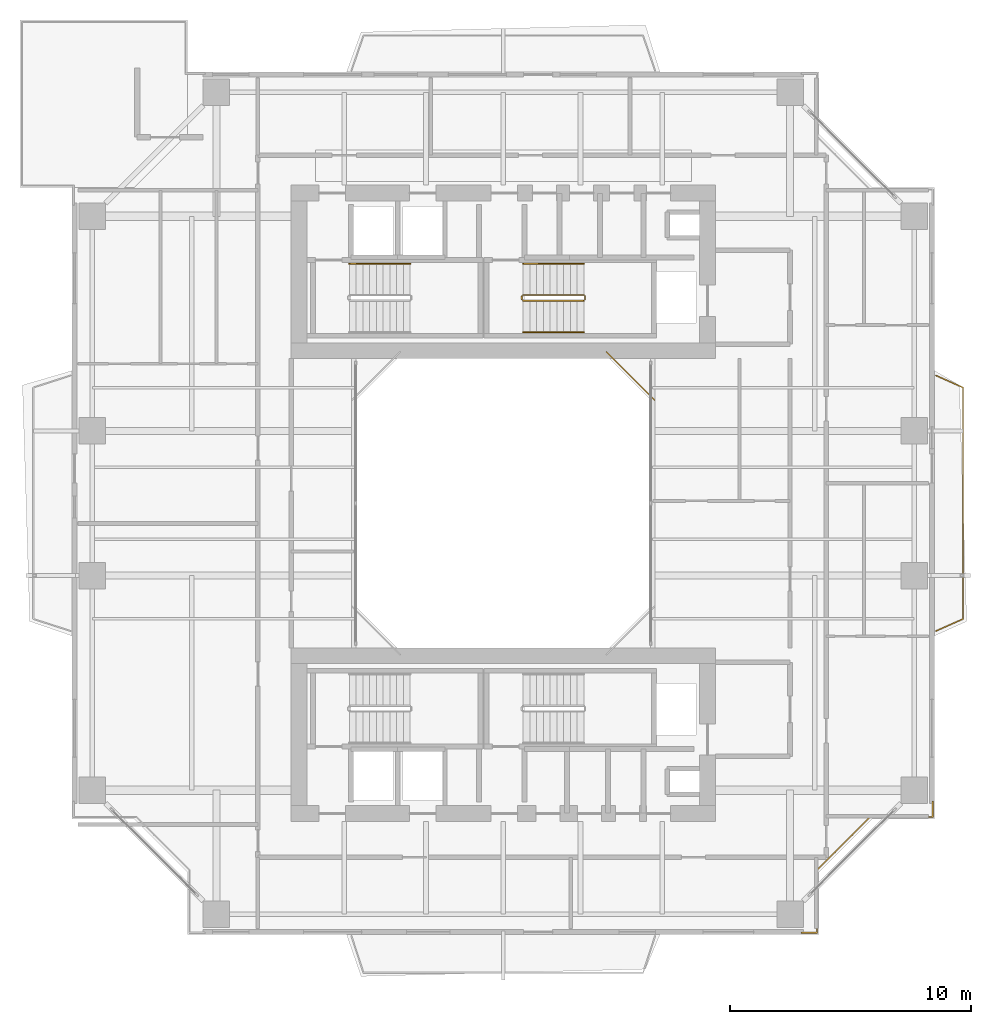
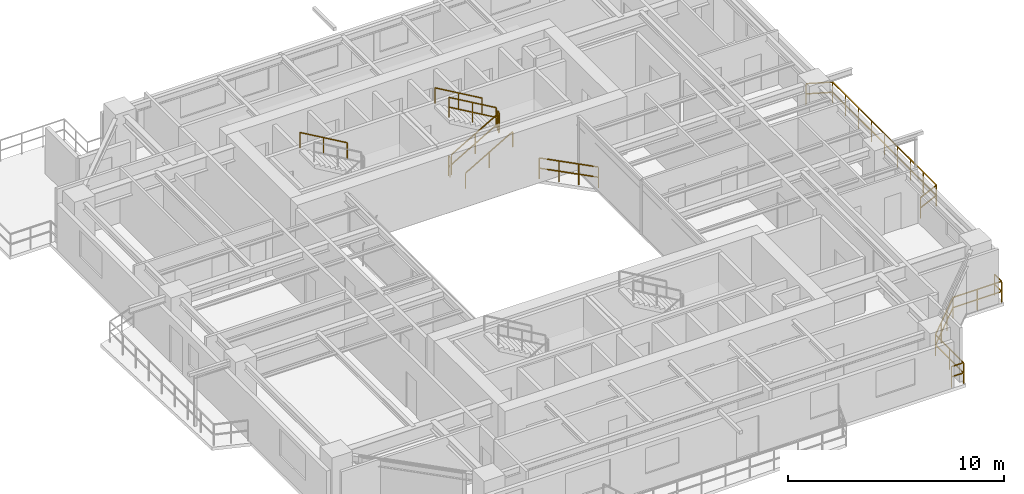
# One storey, part 16 of 17: 10 railings.
"""IFC4 building model written with IfcOpenShell, lengths in metres."""

from ifc_helpers import new_model, si_unit, direction, frame, origin, origin_2d, place, context, subcontext, project, spatial, rectangle, extrude, material, type_object, element, save


model = new_model("IFC4")

# Units and contexts
model_context = context("Model", 3, precision=1e-05, world=origin(), true_north=direction((0.0, 1.0)))
body_context = subcontext(model_context, "Body", "Model", "MODEL_VIEW")
ifc_project = project(units=[si_unit("LENGTHUNIT", "METRE"), si_unit("AREAUNIT", "SQUARE_METRE"), si_unit("VOLUMEUNIT", "CUBIC_METRE"), si_unit("PLANEANGLEUNIT", "RADIAN"), si_unit("MASSUNIT", "GRAM", prefix="KILO"), si_unit("THERMODYNAMICTEMPERATUREUNIT", "KELVIN"), si_unit("POWERUNIT", "WATT")], contexts=[model_context])

# Site, building, storey
site_placement = place(None, origin())
site = spatial("IfcSite", under=ifc_project, at=site_placement, CompositionType="ELEMENT")
building_placement = place(site_placement, origin())
building = spatial("IfcBuilding", under=site, at=building_placement, Name="Qiaomeng Ring Towers", CompositionType="ELEMENT")
storey_placement = place(building_placement, frame((0.0, 0.0, 132.75)))
storey = spatial("IfcBuildingStorey", under=building, at=storey_placement, Name="L38", CompositionType="ELEMENT", Elevation=132.75)

# Railings
ifc_material_1 = material(Name="Low-E pale-green laminated safety glass", Category="glass")
railing_type_1 = type_object("IfcRailingType", Name="ARC-RL-BAL1", PredefinedType="BALUSTRADE", material=ifc_material_1)
railing_1_placement = place(storey_placement, frame((25.280029296875, 27.280029296875, 0.0)))
element("IfcRailing", 1, at=railing_1_placement, inside=storey, type_object=railing_type_1, Name="L38 Balustrade ARC-BAL-WELL1-L38-2", PredefinedType="BALUSTRADE", context=body_context, shape_type="SweptSolid", body=[
    extrude(rectangle(XDim=0.048095703125, YDim=0.048095703125, at=origin_2d()), frame((0.0, 0.0, 1.17578125), z_axis=(-0.707106781187, 0.707106781187, 0.0), x_axis=(-0.707106781187, -0.707106781187, 0.0)), (0.0, 0.0, 1.0), 2.828369140625),
    extrude(rectangle(XDim=0.048095703125, YDim=0.048095703125, at=origin_2d()), frame((0.0, 0.0, 0.60009765625), z_axis=(-0.707106781187, 0.707106781187, 0.0), x_axis=(-0.707106781187, -0.707106781187, 0.0)), (0.0, 0.0, 1.0), 2.828369140625),
    extrude(rectangle(XDim=0.0419921875, YDim=0.0419921875, at=origin_2d()), origin(), (0.0, 0.0, 1.0), 1.15185546875),
    extrude(rectangle(XDim=0.0419921875, YDim=0.0419921875, at=origin_2d()), frame((-0.666748046875, 0.666748046875, 0.0)), (0.0, 0.0, 1.0), 1.15185546875),
    extrude(rectangle(XDim=0.0419921875, YDim=0.0419921875, at=origin_2d()), frame((-1.333251953125, 1.333251953125, 0.0)), (0.0, 0.0, 1.0), 1.15185546875),
    extrude(rectangle(XDim=0.0419921875, YDim=0.0419921875, at=origin_2d()), frame((-2.0, 2.0, 0.0)), (0.0, 0.0, 1.0), 1.15185546875),
])
railing_2_placement = place(storey_placement, frame((31.3701171875, 5.179931640625, 0.0)))
element("IfcRailing", 2, at=railing_2_placement, inside=storey, type_object=railing_type_1, Name="L38 Balustrade ARC-BAL-NOTCH1-L38-SE", PredefinedType="BALUSTRADE", context=body_context, shape_type="SweptSolid", body=[
    extrude(rectangle(XDim=0.048095703125, YDim=0.048095703125, at=origin_2d()), frame((0.0, 0.0, 1.17578125), z_axis=(1.0, 0.0, 0.0), x_axis=(0.0, 1.0, 0.0)), (0.0, 0.0, 1.0), 0.64990234375),
    extrude(rectangle(XDim=0.048095703125, YDim=0.048095703125, at=origin_2d()), frame((0.0, 0.0, 0.60009765625), z_axis=(1.0, 0.0, 0.0), x_axis=(0.0, 1.0, 0.0)), (0.0, 0.0, 1.0), 0.64990234375),
    extrude(rectangle(XDim=0.048095703125, YDim=0.048095703125, at=origin_2d()), frame((0.64990234375, 0.0, 1.17578125), z_axis=(0.0, 1.0, 0.0), x_axis=(-1.0, 0.0, 0.0)), (0.0, 0.0, 1.0), 2.60009765625),
    extrude(rectangle(XDim=0.048095703125, YDim=0.048095703125, at=origin_2d()), frame((0.64990234375, 0.0, 0.60009765625), z_axis=(0.0, 1.0, 0.0), x_axis=(-1.0, 0.0, 0.0)), (0.0, 0.0, 1.0), 2.60009765625),
    extrude(rectangle(XDim=0.048095703125, YDim=0.048095703125, at=origin_2d()), frame((0.64990234375, 2.60009765625, 1.17578125), z_axis=(0.707106781187, 0.707106781187, 0.0), x_axis=(-0.707106781187, 0.707106781187, 0.0)), (0.0, 0.0, 1.0), 3.111083984375),
    extrude(rectangle(XDim=0.048095703125, YDim=0.048095703125, at=origin_2d()), frame((0.64990234375, 2.60009765625, 0.60009765625), z_axis=(0.707106781187, 0.707106781187, 0.0), x_axis=(-0.707106781187, 0.707106781187, 0.0)), (0.0, 0.0, 1.0), 3.111083984375),
    extrude(rectangle(XDim=0.048095703125, YDim=0.048095703125, at=origin_2d()), frame((2.849853515625, 4.800048828125, 1.17578125), z_axis=(1.0, 0.0, 0.0), x_axis=(0.0, 1.0, 0.0)), (0.0, 0.0, 1.0), 2.60009765625),
    extrude(rectangle(XDim=0.048095703125, YDim=0.048095703125, at=origin_2d()), frame((2.849853515625, 4.800048828125, 0.60009765625), z_axis=(1.0, 0.0, 0.0), x_axis=(0.0, 1.0, 0.0)), (0.0, 0.0, 1.0), 2.60009765625),
    extrude(rectangle(XDim=0.048095703125, YDim=0.048095703125, at=origin_2d()), frame((5.449951171875, 4.800048828125, 1.17578125), z_axis=(0.0, 1.0, 0.0), x_axis=(-1.0, 0.0, 0.0)), (0.0, 0.0, 1.0), 0.64990234375),
    extrude(rectangle(XDim=0.048095703125, YDim=0.048095703125, at=origin_2d()), frame((5.449951171875, 4.800048828125, 0.60009765625), z_axis=(0.0, 1.0, 0.0), x_axis=(-1.0, 0.0, 0.0)), (0.0, 0.0, 1.0), 0.64990234375),
    extrude(rectangle(XDim=0.0419921875, YDim=0.0419921875, at=origin_2d()), origin(), (0.0, 0.0, 1.0), 1.15185546875),
    extrude(rectangle(XDim=0.0419921875, YDim=0.0419921875, at=origin_2d()), frame((0.64990234375, 0.0, 0.0)), (0.0, 0.0, 1.0), 1.15185546875),
    extrude(rectangle(XDim=0.0419921875, YDim=0.0419921875, at=origin_2d()), frame((0.64990234375, 1.300048828125, 0.0)), (0.0, 0.0, 1.0), 1.15185546875),
    extrude(rectangle(XDim=0.0419921875, YDim=0.0419921875, at=origin_2d()), frame((0.64990234375, 2.60009765625, 0.0)), (0.0, 0.0, 1.0), 1.15185546875),
    extrude(rectangle(XDim=0.0419921875, YDim=0.0419921875, at=origin_2d()), frame((1.38330078125, 3.33349609375, 0.0)), (0.0, 0.0, 1.0), 1.15185546875),
    extrude(rectangle(XDim=0.0419921875, YDim=0.0419921875, at=origin_2d()), frame((2.116455078125, 4.066650390625, 0.0)), (0.0, 0.0, 1.0), 1.15185546875),
    extrude(rectangle(XDim=0.0419921875, YDim=0.0419921875, at=origin_2d()), frame((2.849853515625, 4.800048828125, 0.0)), (0.0, 0.0, 1.0), 1.15185546875),
    extrude(rectangle(XDim=0.0419921875, YDim=0.0419921875, at=origin_2d()), frame((4.14990234375, 4.800048828125, 0.0)), (0.0, 0.0, 1.0), 1.15185546875),
    extrude(rectangle(XDim=0.0419921875, YDim=0.0419921875, at=origin_2d()), frame((5.449951171875, 4.800048828125, 0.0)), (0.0, 0.0, 1.0), 1.15185546875),
    extrude(rectangle(XDim=0.0419921875, YDim=0.0419921875, at=origin_2d()), frame((5.449951171875, 5.449951171875, 0.0)), (0.0, 0.0, 1.0), 1.15185546875),
])
railing_3_placement = place(storey_placement, frame((36.949951171875, 17.699951171875, 0.0)))
element("IfcRailing", 3, at=railing_3_placement, inside=storey, type_object=railing_type_1, Name="L38 Balustrade ARC-BAL-L38-T1-E", PredefinedType="BALUSTRADE", context=body_context, shape_type="SweptSolid", body=[
    extrude(rectangle(XDim=0.048095703125, YDim=0.048095703125, at=origin_2d()), frame((0.0, 0.0, 1.17578125), z_axis=(0.914494575002, 0.404598161504, 0.0), x_axis=(-0.404598161504, 0.914494575002, 0.0)), (0.0, 0.0, 1.0), 1.23583984375),
    extrude(rectangle(XDim=0.048095703125, YDim=0.048095703125, at=origin_2d()), frame((0.0, 0.0, 0.60009765625), z_axis=(0.914494575002, 0.404598161504, 0.0), x_axis=(-0.404598161504, 0.914494575002, 0.0)), (0.0, 0.0, 1.0), 1.23583984375),
    extrude(rectangle(XDim=0.048095703125, YDim=0.048095703125, at=origin_2d()), frame((1.130126953125, 0.5, 1.17578125), z_axis=(0.0, 1.0, 0.0), x_axis=(-1.0, 0.0, 0.0)), (0.0, 0.0, 1.0), 9.60009765625),
    extrude(rectangle(XDim=0.048095703125, YDim=0.048095703125, at=origin_2d()), frame((1.130126953125, 0.5, 0.60009765625), z_axis=(0.0, 1.0, 0.0), x_axis=(-1.0, 0.0, 0.0)), (0.0, 0.0, 1.0), 9.60009765625),
    extrude(rectangle(XDim=0.048095703125, YDim=0.048095703125, at=origin_2d()), frame((1.130126953125, 10.10009765625, 1.17578125), z_axis=(-0.914494575002, 0.404598161504, 0.0), x_axis=(-0.404598161504, -0.914494575002, 0.0)), (0.0, 0.0, 1.0), 1.23583984375),
    extrude(rectangle(XDim=0.048095703125, YDim=0.048095703125, at=origin_2d()), frame((1.130126953125, 10.10009765625, 0.60009765625), z_axis=(-0.914494575002, 0.404598161504, 0.0), x_axis=(-0.404598161504, -0.914494575002, 0.0)), (0.0, 0.0, 1.0), 1.23583984375),
    extrude(rectangle(XDim=0.0419921875, YDim=0.0419921875, at=origin_2d()), origin(), (0.0, 0.0, 1.0), 1.15185546875),
    extrude(rectangle(XDim=0.0419921875, YDim=0.0419921875, at=origin_2d()), frame((1.130126953125, 0.5, 0.0)), (0.0, 0.0, 1.0), 1.15185546875),
    extrude(rectangle(XDim=0.0419921875, YDim=0.0419921875, at=origin_2d()), frame((1.130126953125, 1.699951171875, 0.0)), (0.0, 0.0, 1.0), 1.15185546875),
    extrude(rectangle(XDim=0.0419921875, YDim=0.0419921875, at=origin_2d()), frame((1.130126953125, 2.89990234375, 0.0)), (0.0, 0.0, 1.0), 1.15185546875),
    extrude(rectangle(XDim=0.0419921875, YDim=0.0419921875, at=origin_2d()), frame((1.130126953125, 4.10009765625, 0.0)), (0.0, 0.0, 1.0), 1.15185546875),
    extrude(rectangle(XDim=0.0419921875, YDim=0.0419921875, at=origin_2d()), frame((1.130126953125, 5.300048828125, 0.0)), (0.0, 0.0, 1.0), 1.15185546875),
    extrude(rectangle(XDim=0.0419921875, YDim=0.0419921875, at=origin_2d()), frame((1.130126953125, 6.5, 0.0)), (0.0, 0.0, 1.0), 1.15185546875),
    extrude(rectangle(XDim=0.0419921875, YDim=0.0419921875, at=origin_2d()), frame((1.130126953125, 7.7001953125, 0.0)), (0.0, 0.0, 1.0), 1.15185546875),
    extrude(rectangle(XDim=0.0419921875, YDim=0.0419921875, at=origin_2d()), frame((1.130126953125, 8.900146484375, 0.0)), (0.0, 0.0, 1.0), 1.15185546875),
    extrude(rectangle(XDim=0.0419921875, YDim=0.0419921875, at=origin_2d()), frame((1.130126953125, 10.10009765625, 0.0)), (0.0, 0.0, 1.0), 1.15185546875),
    extrude(rectangle(XDim=0.0419921875, YDim=0.0419921875, at=origin_2d()), frame((0.0, 10.60009765625, 0.0)), (0.0, 0.0, 1.0), 1.15185546875),
])
ifc_material_2 = material(Name="Galvanised steel", Category="steel")
railing_type_2 = type_object("IfcRailingType", Name="ARC-RL-GUARD", PredefinedType="GUARDRAIL", material=ifc_material_2)
railing_4_placement = place(storey_placement, frame((19.820068359375, 31.39990234375, 0.16259765625)))
element("IfcRailing", 4, at=railing_4_placement, inside=storey, type_object=railing_type_2, Name="L38 ST2 stair guard 1", PredefinedType="GUARDRAIL", context=body_context, shape_type="SweptSolid", body=[
    extrude(rectangle(XDim=0.048095703125, YDim=0.048095703125, at=origin_2d()), frame((0.0, 0.0, 1.1259765625), z_axis=(0.864913338283, 0.0, 0.50192122615), x_axis=(0.0, 1.0, 0.0)), (0.0, 0.0, 1.0), 2.91357421875),
    extrude(rectangle(XDim=0.048095703125, YDim=0.048095703125, at=origin_2d()), frame((0.0, 0.0, 0.574951171875), z_axis=(0.864913338283, 0.0, 0.50192122615), x_axis=(0.0, 1.0, 0.0)), (0.0, 0.0, 1.0), 2.91357421875),
    extrude(rectangle(XDim=0.0419921875, YDim=0.0419921875, at=origin_2d()), origin(), (0.0, 0.0, 1.0), 1.101806640625),
    extrude(rectangle(XDim=0.0419921875, YDim=0.0419921875, at=origin_2d()), frame((1.260009765625, 0.0, 0.731201171875)), (0.0, 0.0, 1.0), 1.101806640625),
    extrude(rectangle(XDim=0.0419921875, YDim=0.0419921875, at=origin_2d()), frame((2.52001953125, 0.0, 1.46240234375)), (0.0, 0.0, 1.0), 1.101806640625),
])
railing_5_placement = place(storey_placement, frame((22.389892578125, 31.449951171875, 1.625)))
element("IfcRailing", 5, at=railing_5_placement, inside=storey, type_object=railing_type_2, Name="L38 ST2 stair guard 2", PredefinedType="GUARDRAIL", context=body_context, shape_type="SweptSolid", body=[
    extrude(rectangle(XDim=0.048095703125, YDim=0.048095703125, at=origin_2d()), frame((0.0, 0.0, 1.1259765625), z_axis=(0.0, 1.0, 0.0), x_axis=(-1.0, 0.0, 0.0)), (0.0, 0.0, 1.0), 0.14013671875),
    extrude(rectangle(XDim=0.048095703125, YDim=0.048095703125, at=origin_2d()), frame((0.0, 0.0, 0.574951171875), z_axis=(0.0, 1.0, 0.0), x_axis=(-1.0, 0.0, 0.0)), (0.0, 0.0, 1.0), 0.14013671875),
    extrude(rectangle(XDim=0.0419921875, YDim=0.0419921875, at=origin_2d()), origin(), (0.0, 0.0, 1.0), 1.101806640625),
    extrude(rectangle(XDim=0.0419921875, YDim=0.0419921875, at=origin_2d()), frame((0.0, 0.14013671875, 0.0)), (0.0, 0.0, 1.0), 1.101806640625),
])
railing_6_placement = place(storey_placement, frame((22.340087890625, 31.639892578125, 1.78759765625)))
element("IfcRailing", 6, at=railing_6_placement, inside=storey, type_object=railing_type_2, Name="L38 ST2 stair guard 3", PredefinedType="GUARDRAIL", context=body_context, shape_type="SweptSolid", body=[
    extrude(rectangle(XDim=0.048095703125, YDim=0.048095703125, at=origin_2d()), frame((0.0, 0.0, 1.1259765625), z_axis=(-0.864913338283, 0.0, 0.50192122615), x_axis=(0.0, -1.0, 0.0)), (0.0, 0.0, 1.0), 2.91357421875),
    extrude(rectangle(XDim=0.048095703125, YDim=0.048095703125, at=origin_2d()), frame((0.0, 0.0, 0.574951171875), z_axis=(-0.864913338283, 0.0, 0.50192122615), x_axis=(0.0, -1.0, 0.0)), (0.0, 0.0, 1.0), 2.91357421875),
    extrude(rectangle(XDim=0.0419921875, YDim=0.0419921875, at=origin_2d()), origin(), (0.0, 0.0, 1.0), 1.101806640625),
    extrude(rectangle(XDim=0.0419921875, YDim=0.0419921875, at=origin_2d()), frame((-1.260009765625, 0.0, 0.731201171875)), (0.0, 0.0, 1.0), 1.101806640625),
    extrude(rectangle(XDim=0.0419921875, YDim=0.0419921875, at=origin_2d()), frame((-2.52001953125, 0.0, 1.46240234375)), (0.0, 0.0, 1.0), 1.101806640625),
])
railing_7_placement = place(storey_placement, frame((19.77001953125, 31.449951171875, 0.0)))
element("IfcRailing", 7, at=railing_7_placement, inside=storey, type_object=railing_type_2, Name="L38 ST2 stair guard 4", PredefinedType="GUARDRAIL", context=body_context, shape_type="SweptSolid", body=[
    extrude(rectangle(XDim=0.048095703125, YDim=0.048095703125, at=origin_2d()), frame((0.0, 0.0, 1.1259765625), z_axis=(0.0, 1.0, 0.0), x_axis=(-1.0, 0.0, 0.0)), (0.0, 0.0, 1.0), 0.14013671875),
    extrude(rectangle(XDim=0.048095703125, YDim=0.048095703125, at=origin_2d()), frame((0.0, 0.0, 0.574951171875), z_axis=(0.0, 1.0, 0.0), x_axis=(-1.0, 0.0, 0.0)), (0.0, 0.0, 1.0), 0.14013671875),
    extrude(rectangle(XDim=0.0419921875, YDim=0.0419921875, at=origin_2d()), origin(), (0.0, 0.0, 1.0), 1.101806640625),
    extrude(rectangle(XDim=0.0419921875, YDim=0.0419921875, at=origin_2d()), frame((0.0, 0.14013671875, 0.0)), (0.0, 0.0, 1.0), 1.101806640625),
])
ifc_material_3 = material(Name="Stainless steel 316", Category="steel")
railing_type_3 = type_object("IfcRailingType", Name="ARC-RL-HAND", PredefinedType="HANDRAIL", material=ifc_material_3)
railing_8_placement = place(storey_placement, frame((15.139892578125, 32.93994140625, 1.78759765625)))
element("IfcRailing", 8, at=railing_8_placement, inside=storey, type_object=railing_type_3, Name="L38 ST1 stair handrail 2", PredefinedType="HANDRAIL", context=body_context, shape_type="SweptSolid", body=[
    extrude(rectangle(XDim=0.048095703125, YDim=0.048095703125, at=origin_2d()), frame((0.0, 0.0, 0.8759765625), z_axis=(-0.864892226395, 0.0, 0.501957604506), x_axis=(0.0, -1.0, 0.0)), (0.0, 0.0, 1.0), 2.913330078125),
    extrude(rectangle(XDim=0.0419921875, YDim=0.0419921875, at=origin_2d()), origin(), (0.0, 0.0, 1.0), 0.851806640625),
    extrude(rectangle(XDim=0.0419921875, YDim=0.0419921875, at=origin_2d()), frame((-1.259765625, 0.0, 0.731201171875)), (0.0, 0.0, 1.0), 0.851806640625),
    extrude(rectangle(XDim=0.0419921875, YDim=0.0419921875, at=origin_2d()), frame((-2.519775390625, 0.0, 1.46240234375)), (0.0, 0.0, 1.0), 0.851806640625),
])
railing_9_placement = place(storey_placement, frame((19.820068359375, 30.10009765625, 0.16259765625)))
element("IfcRailing", 9, at=railing_9_placement, inside=storey, type_object=railing_type_3, Name="L38 ST2 stair handrail 1", PredefinedType="HANDRAIL", context=body_context, shape_type="SweptSolid", body=[
    extrude(rectangle(XDim=0.048095703125, YDim=0.048095703125, at=origin_2d()), frame((0.0, 0.0, 0.8759765625), z_axis=(0.864913338283, 0.0, 0.50192122615), x_axis=(0.0, 1.0, 0.0)), (0.0, 0.0, 1.0), 2.91357421875),
    extrude(rectangle(XDim=0.0419921875, YDim=0.0419921875, at=origin_2d()), origin(), (0.0, 0.0, 1.0), 0.851806640625),
    extrude(rectangle(XDim=0.0419921875, YDim=0.0419921875, at=origin_2d()), frame((1.260009765625, 0.0, 0.731201171875)), (0.0, 0.0, 1.0), 0.851806640625),
    extrude(rectangle(XDim=0.0419921875, YDim=0.0419921875, at=origin_2d()), frame((2.52001953125, 0.0, 1.46240234375)), (0.0, 0.0, 1.0), 0.851806640625),
])
railing_10_placement = place(storey_placement, frame((22.340087890625, 32.93994140625, 1.78759765625)))
element("IfcRailing", 10, at=railing_10_placement, inside=storey, type_object=railing_type_3, Name="L38 ST2 stair handrail 2", PredefinedType="HANDRAIL", context=body_context, shape_type="SweptSolid", body=[
    extrude(rectangle(XDim=0.048095703125, YDim=0.048095703125, at=origin_2d()), frame((0.0, 0.0, 0.8759765625), z_axis=(-0.864913338283, 0.0, 0.50192122615), x_axis=(0.0, -1.0, 0.0)), (0.0, 0.0, 1.0), 2.91357421875),
    extrude(rectangle(XDim=0.0419921875, YDim=0.0419921875, at=origin_2d()), origin(), (0.0, 0.0, 1.0), 0.851806640625),
    extrude(rectangle(XDim=0.0419921875, YDim=0.0419921875, at=origin_2d()), frame((-1.260009765625, 0.0, 0.731201171875)), (0.0, 0.0, 1.0), 0.851806640625),
    extrude(rectangle(XDim=0.0419921875, YDim=0.0419921875, at=origin_2d()), frame((-2.52001953125, 0.0, 1.46240234375)), (0.0, 0.0, 1.0), 0.851806640625),
])

save(model, "model.ifc")
